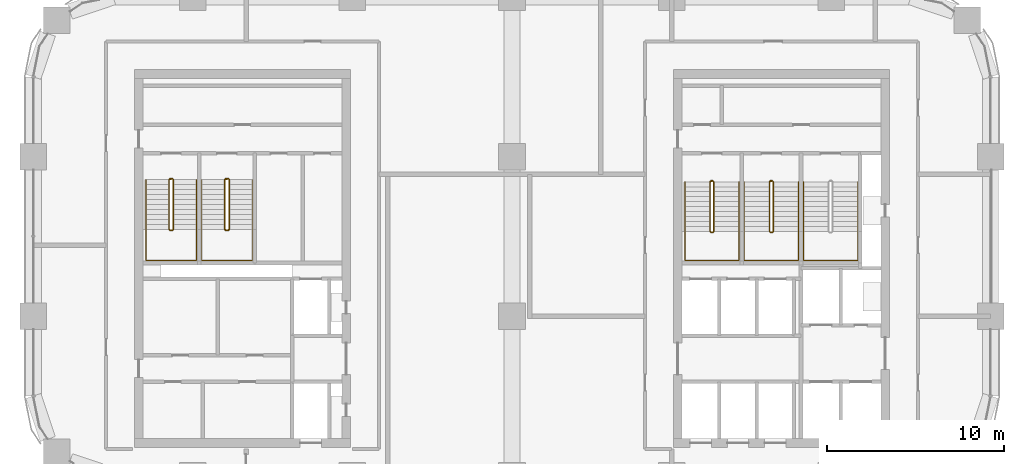
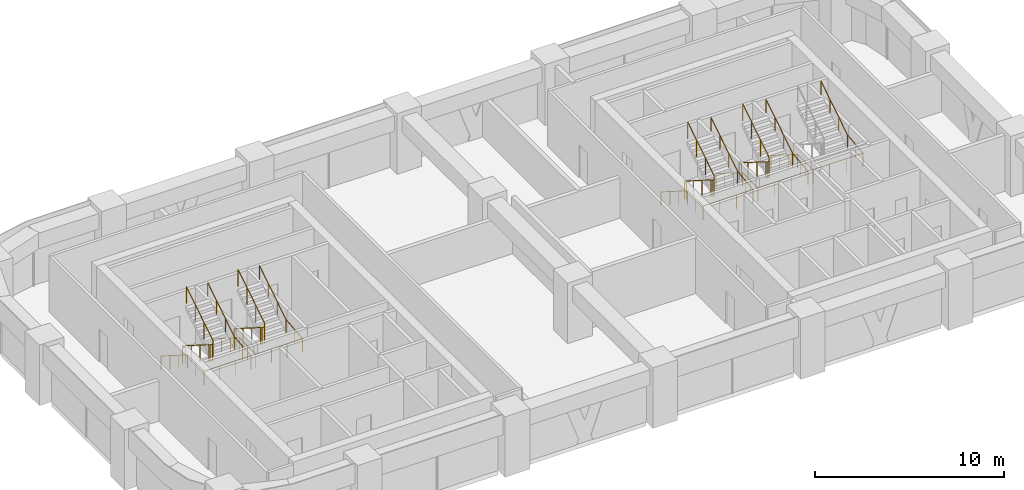
# One storey, part 13 of 14: 9 railings.
"""IFC4 building model written with IfcOpenShell, lengths in metres."""

from ifc_helpers import new_model, si_unit, direction, frame, origin, origin_2d, place, context, subcontext, project, spatial, circle, extrude, material, type_object, element, save


model = new_model("IFC4")

# Units and contexts
model_context = context("Model", 3, precision=1e-05, world=origin(), true_north=direction((0.0, 1.0)))
body_context = subcontext(model_context, "Body", "Model", "MODEL_VIEW")
ifc_project = project(units=[si_unit("LENGTHUNIT", "METRE"), si_unit("AREAUNIT", "SQUARE_METRE"), si_unit("VOLUMEUNIT", "CUBIC_METRE"), si_unit("PLANEANGLEUNIT", "RADIAN"), si_unit("MASSUNIT", "GRAM", prefix="KILO")], contexts=[model_context])

# Site, building, storey
site_placement = place(None, origin())
site = spatial("IfcSite", under=ifc_project, at=site_placement, CompositionType="ELEMENT")
building_placement = place(site_placement, origin())
building = spatial("IfcBuilding", under=site, at=building_placement, Name="Tessera Arch", CompositionType="ELEMENT")
storey_placement = place(building_placement, frame((0.0, 0.0, 138.800048828125)))
storey = spatial("IfcBuildingStorey", under=building, at=storey_placement, Name="L32", CompositionType="ELEMENT", Elevation=138.800048828125)

# Railings
ifc_material_1 = material(Name="Painted steel balustrade", Category="steel")
railing_type_1 = type_object("IfcRailingType", Name="Stair guard 1100", PredefinedType="GUARDRAIL", material=ifc_material_1)
railing_1_placement = place(storey_placement, frame((38.219970703125, 43.6298828125, 0.0)))
element("IfcRailing", 1, at=railing_1_placement, inside=storey, type_object=railing_type_1, Name="L32 S1a stair guard 1", PredefinedType="GUARDRAIL", context=body_context, shape_type="SweptSolid", body=[
    extrude(circle(Radius=0.02392578125, at=origin_2d()), frame((-0.00390625, 0.0, 1.076171875), z_axis=(1.0, 0.0, 0.0), x_axis=(0.0, 1.0, 0.0)), (0.0, 0.0, 1.0), 0.1181640625),
    extrude(circle(Radius=0.02392578125, at=origin_2d()), frame((0.11279296875, 0.000732421875, 1.0732421875), z_axis=(-0.656319048605, -0.204099216335, 0.726353093426), x_axis=(0.296948579431, -0.954893471113, 0.0)), (0.0, 0.0, 1.0), 0.251953125),
    extrude(circle(Radius=0.02392578125, at=origin_2d()), frame((-0.050048828125, -0.04638671875, 1.251220703125), z_axis=(0.0, -0.844908973607, 0.534910110503), x_axis=(1.0, 0.0, 0.0)), (0.0, 0.0, 1.0), 3.322021484375),
    extrude(circle(Radius=0.02392578125, at=origin_2d()), frame((-0.052978515625, -2.846923828125, 3.02587890625), z_axis=(0.707106781187, -0.707106781187, 0.0), x_axis=(0.707106781187, 0.707106781187, 0.0)), (0.0, 0.0, 1.0), 0.078857421875),
    extrude(circle(Radius=0.02392578125, at=origin_2d()), frame((-0.00390625, -2.89990234375, 3.02587890625), z_axis=(1.0, 0.0, 0.0), x_axis=(0.0, 1.0, 0.0)), (0.0, 0.0, 1.0), 0.1181640625),
    extrude(circle(Radius=0.02392578125, at=origin_2d()), frame((0.109130859375, -2.90087890625, 3.022216796875), z_axis=(0.261041864531, 0.262321481514, 0.929001929653), x_axis=(-0.708833529934, 0.705375805398, 0.0)), (0.0, 0.0, 1.0), 0.19873046875),
    extrude(circle(Radius=0.02392578125, at=origin_2d()), frame((0.159912109375, -2.853271484375, 3.201171875), z_axis=(0.0, 0.844908973607, 0.534910110503), x_axis=(-1.0, 0.0, 0.0)), (0.0, 0.0, 1.0), 3.322021484375),
    extrude(circle(Radius=0.02099609375, at=origin_2d()), origin(), (0.0, 0.0, 1.0), 1.06396484375),
    extrude(circle(Radius=0.02099609375, at=origin_2d()), frame((0.110107421875, 0.0, 0.0)), (0.0, 0.0, 1.0), 1.06396484375),
    extrude(circle(Radius=0.02099609375, at=origin_2d()), frame((-0.050048828125, -0.0498046875, 0.17724609375)), (0.0, 0.0, 1.0), 1.06396484375),
    extrude(circle(Radius=0.02099609375, at=origin_2d()), frame((-0.050048828125, -0.983154296875, 0.76806640625)), (0.0, 0.0, 1.0), 1.06396484375),
    extrude(circle(Radius=0.02099609375, at=origin_2d()), frame((-0.050048828125, -1.91650390625, 1.359130859375)), (0.0, 0.0, 1.0), 1.06396484375),
    extrude(circle(Radius=0.02099609375, at=origin_2d()), frame((-0.050048828125, -2.849853515625, 1.949951171875)), (0.0, 0.0, 1.0), 1.06396484375),
    extrude(circle(Radius=0.02099609375, at=origin_2d()), frame((0.0, -2.89990234375, 1.949951171875)), (0.0, 0.0, 1.0), 1.06396484375),
    extrude(circle(Radius=0.02099609375, at=origin_2d()), frame((0.110107421875, -2.89990234375, 1.949951171875)), (0.0, 0.0, 1.0), 1.06396484375),
    extrude(circle(Radius=0.02099609375, at=origin_2d()), frame((0.159912109375, -2.849853515625, 2.127197265625)), (0.0, 0.0, 1.0), 1.06396484375),
    extrude(circle(Radius=0.02099609375, at=origin_2d()), frame((0.159912109375, -1.91650390625, 2.718017578125)), (0.0, 0.0, 1.0), 1.06396484375),
    extrude(circle(Radius=0.02099609375, at=origin_2d()), frame((0.159912109375, -0.983154296875, 3.30908203125)), (0.0, 0.0, 1.0), 1.06396484375),
    extrude(circle(Radius=0.02099609375, at=origin_2d()), frame((0.159912109375, -0.0498046875, 3.89990234375)), (0.0, 0.0, 1.0), 1.06396484375),
])
railing_2_placement = place(storey_placement, frame((41.570068359375, 43.6298828125, 0.0)))
element("IfcRailing", 2, at=railing_2_placement, inside=storey, type_object=railing_type_1, Name="L32 S1b stair guard 1", PredefinedType="GUARDRAIL", context=body_context, shape_type="SweptSolid", body=[
    extrude(circle(Radius=0.02392578125, at=origin_2d()), frame((-0.00390625, 0.0, 1.076171875), z_axis=(1.0, 0.0, 0.0), x_axis=(0.0, 1.0, 0.0)), (0.0, 0.0, 1.0), 0.117919921875),
    extrude(circle(Radius=0.02392578125, at=origin_2d()), frame((0.112548828125, 0.000732421875, 1.0732421875), z_axis=(-0.65574896516, -0.204233265485, 0.726830150696), x_axis=(0.297361876254, -0.954764847777, 0.0)), (0.0, 0.0, 1.0), 0.251953125),
    extrude(circle(Radius=0.02392578125, at=origin_2d()), frame((-0.050048828125, -0.04638671875, 1.251220703125), z_axis=(0.0, -0.844908973607, 0.534910110503), x_axis=(1.0, 0.0, 0.0)), (0.0, 0.0, 1.0), 3.322021484375),
    extrude(circle(Radius=0.02392578125, at=origin_2d()), frame((-0.052978515625, -2.846923828125, 3.02587890625), z_axis=(0.707106781187, -0.707106781187, 0.0), x_axis=(0.707106781187, 0.707106781187, 0.0)), (0.0, 0.0, 1.0), 0.078857421875),
    extrude(circle(Radius=0.02392578125, at=origin_2d()), frame((-0.00390625, -2.89990234375, 3.02587890625), z_axis=(1.0, 0.0, 0.0), x_axis=(0.0, 1.0, 0.0)), (0.0, 0.0, 1.0), 0.117919921875),
    extrude(circle(Radius=0.02392578125, at=origin_2d()), frame((0.10888671875, -2.90087890625, 3.022216796875), z_axis=(0.262233686654, 0.262233686654, 0.928691007369), x_axis=(-0.707106781187, 0.707106781187, 0.0)), (0.0, 0.0, 1.0), 0.198974609375),
    extrude(circle(Radius=0.02392578125, at=origin_2d()), frame((0.159912109375, -2.853271484375, 3.201171875), z_axis=(0.0, 0.844908973607, 0.534910110503), x_axis=(-1.0, 0.0, 0.0)), (0.0, 0.0, 1.0), 3.322021484375),
    extrude(circle(Radius=0.02099609375, at=origin_2d()), origin(), (0.0, 0.0, 1.0), 1.06396484375),
    extrude(circle(Radius=0.02099609375, at=origin_2d()), frame((0.10986328125, 0.0, 0.0)), (0.0, 0.0, 1.0), 1.06396484375),
    extrude(circle(Radius=0.02099609375, at=origin_2d()), frame((-0.050048828125, -0.0498046875, 0.17724609375)), (0.0, 0.0, 1.0), 1.06396484375),
    extrude(circle(Radius=0.02099609375, at=origin_2d()), frame((-0.050048828125, -0.983154296875, 0.76806640625)), (0.0, 0.0, 1.0), 1.06396484375),
    extrude(circle(Radius=0.02099609375, at=origin_2d()), frame((-0.050048828125, -1.91650390625, 1.359130859375)), (0.0, 0.0, 1.0), 1.06396484375),
    extrude(circle(Radius=0.02099609375, at=origin_2d()), frame((-0.050048828125, -2.849853515625, 1.949951171875)), (0.0, 0.0, 1.0), 1.06396484375),
    extrude(circle(Radius=0.02099609375, at=origin_2d()), frame((0.0, -2.89990234375, 1.949951171875)), (0.0, 0.0, 1.0), 1.06396484375),
    extrude(circle(Radius=0.02099609375, at=origin_2d()), frame((0.10986328125, -2.89990234375, 1.949951171875)), (0.0, 0.0, 1.0), 1.06396484375),
    extrude(circle(Radius=0.02099609375, at=origin_2d()), frame((0.159912109375, -2.849853515625, 2.127197265625)), (0.0, 0.0, 1.0), 1.06396484375),
    extrude(circle(Radius=0.02099609375, at=origin_2d()), frame((0.159912109375, -1.91650390625, 2.718017578125)), (0.0, 0.0, 1.0), 1.06396484375),
    extrude(circle(Radius=0.02099609375, at=origin_2d()), frame((0.159912109375, -0.983154296875, 3.30908203125)), (0.0, 0.0, 1.0), 1.06396484375),
    extrude(circle(Radius=0.02099609375, at=origin_2d()), frame((0.159912109375, -0.0498046875, 3.89990234375)), (0.0, 0.0, 1.0), 1.06396484375),
])
railing_3_placement = place(storey_placement, frame((7.699951171875, 43.75, 0.0)))
element("IfcRailing", 3, at=railing_3_placement, inside=storey, type_object=railing_type_1, Name="L32 S2a stair guard 1", PredefinedType="GUARDRAIL", context=body_context, shape_type="SweptSolid", body=[
    extrude(circle(Radius=0.02392578125, at=origin_2d()), frame((-0.00390625, 0.0, 1.076171875), z_axis=(1.0, 0.0, 0.0), x_axis=(0.0, 1.0, 0.0)), (0.0, 0.0, 1.0), 0.158203125),
    extrude(circle(Radius=0.02392578125, at=origin_2d()), frame((0.153076171875, 0.000732421875, 1.073486328125), z_axis=(-0.735936453418, -0.183984113355, 0.651573006319), x_axis=(0.242535625036, -0.970142500145, 0.0)), (0.0, 0.0, 1.0), 0.280029296875),
    extrude(circle(Radius=0.02392578125, at=origin_2d()), frame((-0.050048828125, -0.046630859375, 1.251220703125), z_axis=(0.0, -0.844908973607, 0.534910110503), x_axis=(1.0, 0.0, 0.0)), (0.0, 0.0, 1.0), 3.322021484375),
    extrude(circle(Radius=0.02392578125, at=origin_2d()), frame((-0.052978515625, -2.84716796875, 3.02587890625), z_axis=(0.708833529934, -0.705375805398, 0.0), x_axis=(0.705375805398, 0.708833529934, 0.0)), (0.0, 0.0, 1.0), 0.07861328125),
    extrude(circle(Radius=0.02392578125, at=origin_2d()), frame((-0.00390625, -2.89990234375, 3.02587890625), z_axis=(1.0, 0.0, 0.0), x_axis=(0.0, 1.0, 0.0)), (0.0, 0.0, 1.0), 0.158203125),
    extrude(circle(Radius=0.02392578125, at=origin_2d()), frame((0.149169921875, -2.90087890625, 3.022216796875), z_axis=(0.261129318932, 0.261129318932, 0.929313164433), x_axis=(-0.707106781187, 0.707106781187, 0.0)), (0.0, 0.0, 1.0), 0.19873046875),
    extrude(circle(Radius=0.02392578125, at=origin_2d()), frame((0.199951171875, -2.853515625, 3.201171875), z_axis=(0.0, 0.844908973607, 0.534910110503), x_axis=(-1.0, 0.0, 0.0)), (0.0, 0.0, 1.0), 3.322021484375),
    extrude(circle(Radius=0.02099609375, at=origin_2d()), origin(), (0.0, 0.0, 1.0), 1.06396484375),
    extrude(circle(Radius=0.02099609375, at=origin_2d()), frame((0.150146484375, 0.0, 0.0)), (0.0, 0.0, 1.0), 1.06396484375),
    extrude(circle(Radius=0.02099609375, at=origin_2d()), frame((-0.050048828125, -0.050048828125, 0.17724609375)), (0.0, 0.0, 1.0), 1.06396484375),
    extrude(circle(Radius=0.02099609375, at=origin_2d()), frame((-0.050048828125, -0.9833984375, 0.76806640625)), (0.0, 0.0, 1.0), 1.06396484375),
    extrude(circle(Radius=0.02099609375, at=origin_2d()), frame((-0.050048828125, -1.916748046875, 1.359130859375)), (0.0, 0.0, 1.0), 1.06396484375),
    extrude(circle(Radius=0.02099609375, at=origin_2d()), frame((-0.050048828125, -2.85009765625, 1.949951171875)), (0.0, 0.0, 1.0), 1.06396484375),
    extrude(circle(Radius=0.02099609375, at=origin_2d()), frame((0.0, -2.89990234375, 1.949951171875)), (0.0, 0.0, 1.0), 1.06396484375),
    extrude(circle(Radius=0.02099609375, at=origin_2d()), frame((0.150146484375, -2.89990234375, 1.949951171875)), (0.0, 0.0, 1.0), 1.06396484375),
    extrude(circle(Radius=0.02099609375, at=origin_2d()), frame((0.199951171875, -2.85009765625, 2.127197265625)), (0.0, 0.0, 1.0), 1.06396484375),
    extrude(circle(Radius=0.02099609375, at=origin_2d()), frame((0.199951171875, -1.916748046875, 2.718017578125)), (0.0, 0.0, 1.0), 1.06396484375),
    extrude(circle(Radius=0.02099609375, at=origin_2d()), frame((0.199951171875, -0.9833984375, 3.30908203125)), (0.0, 0.0, 1.0), 1.06396484375),
    extrude(circle(Radius=0.02099609375, at=origin_2d()), frame((0.199951171875, -0.050048828125, 3.89990234375)), (0.0, 0.0, 1.0), 1.06396484375),
])
railing_4_placement = place(storey_placement, frame((10.85009765625, 43.75, 0.0)))
element("IfcRailing", 4, at=railing_4_placement, inside=storey, type_object=railing_type_1, Name="L32 S2b stair guard 1", PredefinedType="GUARDRAIL", context=body_context, shape_type="SweptSolid", body=[
    extrude(circle(Radius=0.02392578125, at=origin_2d()), frame((-0.00390625, 0.0, 1.076171875), z_axis=(1.0, 0.0, 0.0), x_axis=(0.0, 1.0, 0.0)), (0.0, 0.0, 1.0), 0.157958984375),
    extrude(circle(Radius=0.02392578125, at=origin_2d()), frame((0.15283203125, 0.000732421875, 1.073486328125), z_axis=(-0.735524641326, -0.184105679453, 0.652003528208), x_axis=(0.242814311512, -0.970072785993, 0.0)), (0.0, 0.0, 1.0), 0.27978515625),
    extrude(circle(Radius=0.02392578125, at=origin_2d()), frame((-0.050048828125, -0.046630859375, 1.251220703125), z_axis=(0.0, -0.844908973607, 0.534910110503), x_axis=(1.0, 0.0, 0.0)), (0.0, 0.0, 1.0), 3.322021484375),
    extrude(circle(Radius=0.02392578125, at=origin_2d()), frame((-0.052978515625, -2.84716796875, 3.02587890625), z_axis=(0.708833529934, -0.705375805398, 0.0), x_axis=(0.705375805398, 0.708833529934, 0.0)), (0.0, 0.0, 1.0), 0.07861328125),
    extrude(circle(Radius=0.02392578125, at=origin_2d()), frame((-0.00390625, -2.89990234375, 3.02587890625), z_axis=(1.0, 0.0, 0.0), x_axis=(0.0, 1.0, 0.0)), (0.0, 0.0, 1.0), 0.157958984375),
    extrude(circle(Radius=0.02392578125, at=origin_2d()), frame((0.14892578125, -2.90087890625, 3.022216796875), z_axis=(0.262321481514, 0.261041864531, 0.929001929653), x_axis=(-0.705375805398, 0.708833529934, 0.0)), (0.0, 0.0, 1.0), 0.19873046875),
    extrude(circle(Radius=0.02392578125, at=origin_2d()), frame((0.199951171875, -2.853515625, 3.201171875), z_axis=(0.0, 0.844908973607, 0.534910110503), x_axis=(-1.0, 0.0, 0.0)), (0.0, 0.0, 1.0), 3.322021484375),
    extrude(circle(Radius=0.02099609375, at=origin_2d()), origin(), (0.0, 0.0, 1.0), 1.06396484375),
    extrude(circle(Radius=0.02099609375, at=origin_2d()), frame((0.14990234375, 0.0, 0.0)), (0.0, 0.0, 1.0), 1.06396484375),
    extrude(circle(Radius=0.02099609375, at=origin_2d()), frame((-0.050048828125, -0.050048828125, 0.17724609375)), (0.0, 0.0, 1.0), 1.06396484375),
    extrude(circle(Radius=0.02099609375, at=origin_2d()), frame((-0.050048828125, -0.9833984375, 0.76806640625)), (0.0, 0.0, 1.0), 1.06396484375),
    extrude(circle(Radius=0.02099609375, at=origin_2d()), frame((-0.050048828125, -1.916748046875, 1.359130859375)), (0.0, 0.0, 1.0), 1.06396484375),
    extrude(circle(Radius=0.02099609375, at=origin_2d()), frame((-0.050048828125, -2.85009765625, 1.949951171875)), (0.0, 0.0, 1.0), 1.06396484375),
    extrude(circle(Radius=0.02099609375, at=origin_2d()), frame((0.0, -2.89990234375, 1.949951171875)), (0.0, 0.0, 1.0), 1.06396484375),
    extrude(circle(Radius=0.02099609375, at=origin_2d()), frame((0.14990234375, -2.89990234375, 1.949951171875)), (0.0, 0.0, 1.0), 1.06396484375),
    extrude(circle(Radius=0.02099609375, at=origin_2d()), frame((0.199951171875, -2.85009765625, 2.127197265625)), (0.0, 0.0, 1.0), 1.06396484375),
    extrude(circle(Radius=0.02099609375, at=origin_2d()), frame((0.199951171875, -1.916748046875, 2.718017578125)), (0.0, 0.0, 1.0), 1.06396484375),
    extrude(circle(Radius=0.02099609375, at=origin_2d()), frame((0.199951171875, -0.9833984375, 3.30908203125)), (0.0, 0.0, 1.0), 1.06396484375),
    extrude(circle(Radius=0.02099609375, at=origin_2d()), frame((0.199951171875, -0.050048828125, 3.89990234375)), (0.0, 0.0, 1.0), 1.06396484375),
])
ifc_material_2 = material(Name="Painted steel handrail", Category="steel")
railing_type_2 = type_object("IfcRailingType", Name="Stair handrail 900", PredefinedType="HANDRAIL", material=ifc_material_2)
railing_5_placement = place(storey_placement, frame((36.75, 43.580078125, 0.17724609375)))
element("IfcRailing", 5, at=railing_5_placement, inside=storey, type_object=railing_type_2, Name="L32 S1a stair handrail", PredefinedType="HANDRAIL", context=body_context, shape_type="SweptSolid", body=[
    extrude(circle(Radius=0.02392578125, at=origin_2d()), frame((0.0, 0.00341796875, 0.873779296875), z_axis=(0.0, -0.844908973607, 0.534910110503), x_axis=(1.0, 0.0, 0.0)), (0.0, 0.0, 1.0), 3.322021484375),
    extrude(circle(Radius=0.02392578125, at=origin_2d()), frame((0.0, -2.796142578125, 2.6484375), z_axis=(0.0, -1.0, 0.0), x_axis=(1.0, 0.0, 0.0)), (0.0, 0.0, 1.0), 1.63818359375),
    extrude(circle(Radius=0.02392578125, at=origin_2d()), frame((-0.00390625, -4.43017578125, 2.6484375), z_axis=(1.0, 0.0, 0.0), x_axis=(0.0, 1.0, 0.0)), (0.0, 0.0, 1.0), 3.05810546875),
    extrude(circle(Radius=0.02392578125, at=origin_2d()), frame((3.050048828125, -4.43408203125, 2.648193359375), z_axis=(0.0, 0.994140637614, 0.108094369164), x_axis=(-1.0, 0.0, 0.0)), (0.0, 0.0, 1.0), 1.647705078125),
    extrude(circle(Radius=0.02392578125, at=origin_2d()), frame((3.050048828125, -2.803466796875, 2.82373046875), z_axis=(0.0, 0.844908973607, 0.534910110503), x_axis=(-1.0, 0.0, 0.0)), (0.0, 0.0, 1.0), 3.322021484375),
    extrude(circle(Radius=0.02099609375, at=origin_2d()), origin(), (0.0, 0.0, 1.0), 0.86376953125),
    extrude(circle(Radius=0.02099609375, at=origin_2d()), frame((0.0, -0.933349609375, 0.5908203125)), (0.0, 0.0, 1.0), 0.86376953125),
    extrude(circle(Radius=0.02099609375, at=origin_2d()), frame((0.0, -1.86669921875, 1.181884765625)), (0.0, 0.0, 1.0), 0.86376953125),
    extrude(circle(Radius=0.02099609375, at=origin_2d()), frame((0.0, -2.800048828125, 1.772705078125)), (0.0, 0.0, 1.0), 0.86376953125),
    extrude(circle(Radius=0.02099609375, at=origin_2d()), frame((0.0, -3.615234375, 1.772705078125)), (0.0, 0.0, 1.0), 0.86376953125),
    extrude(circle(Radius=0.02099609375, at=origin_2d()), frame((0.0, -4.43017578125, 1.772705078125)), (0.0, 0.0, 1.0), 0.86376953125),
    extrude(circle(Radius=0.02099609375, at=origin_2d()), frame((1.0166015625, -4.43017578125, 1.772705078125)), (0.0, 0.0, 1.0), 0.86376953125),
    extrude(circle(Radius=0.02099609375, at=origin_2d()), frame((2.033447265625, -4.43017578125, 1.772705078125)), (0.0, 0.0, 1.0), 0.86376953125),
    extrude(circle(Radius=0.02099609375, at=origin_2d()), frame((3.050048828125, -4.43017578125, 1.772705078125)), (0.0, 0.0, 1.0), 0.86376953125),
    extrude(circle(Radius=0.02099609375, at=origin_2d()), frame((3.050048828125, -3.615234375, 1.861328125)), (0.0, 0.0, 1.0), 0.86376953125),
    extrude(circle(Radius=0.02099609375, at=origin_2d()), frame((3.050048828125, -2.800048828125, 1.949951171875)), (0.0, 0.0, 1.0), 0.86376953125),
    extrude(circle(Radius=0.02099609375, at=origin_2d()), frame((3.050048828125, -1.86669921875, 2.540771484375)), (0.0, 0.0, 1.0), 0.86376953125),
    extrude(circle(Radius=0.02099609375, at=origin_2d()), frame((3.050048828125, -0.933349609375, 3.1318359375)), (0.0, 0.0, 1.0), 0.86376953125),
    extrude(circle(Radius=0.02099609375, at=origin_2d()), frame((3.050048828125, 0.0, 3.72265625)), (0.0, 0.0, 1.0), 0.86376953125),
])
railing_6_placement = place(storey_placement, frame((40.10009765625, 43.580078125, 0.17724609375)))
element("IfcRailing", 6, at=railing_6_placement, inside=storey, type_object=railing_type_2, Name="L32 S1b stair handrail", PredefinedType="HANDRAIL", context=body_context, shape_type="SweptSolid", body=[
    extrude(circle(Radius=0.02392578125, at=origin_2d()), frame((0.0, 0.00341796875, 0.873779296875), z_axis=(0.0, -0.844908973607, 0.534910110503), x_axis=(1.0, 0.0, 0.0)), (0.0, 0.0, 1.0), 3.322021484375),
    extrude(circle(Radius=0.02392578125, at=origin_2d()), frame((0.0, -2.796142578125, 2.6484375), z_axis=(0.0, -1.0, 0.0), x_axis=(1.0, 0.0, 0.0)), (0.0, 0.0, 1.0), 1.63818359375),
    extrude(circle(Radius=0.02392578125, at=origin_2d()), frame((-0.00390625, -4.43017578125, 2.6484375), z_axis=(1.0, 0.0, 0.0), x_axis=(0.0, 1.0, 0.0)), (0.0, 0.0, 1.0), 3.057861328125),
    extrude(circle(Radius=0.02392578125, at=origin_2d()), frame((3.0498046875, -4.43408203125, 2.648193359375), z_axis=(0.0, 0.994140637614, 0.108094369164), x_axis=(-1.0, 0.0, 0.0)), (0.0, 0.0, 1.0), 1.647705078125),
    extrude(circle(Radius=0.02392578125, at=origin_2d()), frame((3.0498046875, -2.803466796875, 2.82373046875), z_axis=(0.0, 0.844908973607, 0.534910110503), x_axis=(-1.0, 0.0, 0.0)), (0.0, 0.0, 1.0), 3.322021484375),
    extrude(circle(Radius=0.02099609375, at=origin_2d()), origin(), (0.0, 0.0, 1.0), 0.86376953125),
    extrude(circle(Radius=0.02099609375, at=origin_2d()), frame((0.0, -0.933349609375, 0.5908203125)), (0.0, 0.0, 1.0), 0.86376953125),
    extrude(circle(Radius=0.02099609375, at=origin_2d()), frame((0.0, -1.86669921875, 1.181884765625)), (0.0, 0.0, 1.0), 0.86376953125),
    extrude(circle(Radius=0.02099609375, at=origin_2d()), frame((0.0, -2.800048828125, 1.772705078125)), (0.0, 0.0, 1.0), 0.86376953125),
    extrude(circle(Radius=0.02099609375, at=origin_2d()), frame((0.0, -3.615234375, 1.772705078125)), (0.0, 0.0, 1.0), 0.86376953125),
    extrude(circle(Radius=0.02099609375, at=origin_2d()), frame((0.0, -4.43017578125, 1.772705078125)), (0.0, 0.0, 1.0), 0.86376953125),
    extrude(circle(Radius=0.02099609375, at=origin_2d()), frame((1.0166015625, -4.43017578125, 1.772705078125)), (0.0, 0.0, 1.0), 0.86376953125),
    extrude(circle(Radius=0.02099609375, at=origin_2d()), frame((2.033203125, -4.43017578125, 1.772705078125)), (0.0, 0.0, 1.0), 0.86376953125),
    extrude(circle(Radius=0.02099609375, at=origin_2d()), frame((3.0498046875, -4.43017578125, 1.772705078125)), (0.0, 0.0, 1.0), 0.86376953125),
    extrude(circle(Radius=0.02099609375, at=origin_2d()), frame((3.0498046875, -3.615234375, 1.861328125)), (0.0, 0.0, 1.0), 0.86376953125),
    extrude(circle(Radius=0.02099609375, at=origin_2d()), frame((3.0498046875, -2.800048828125, 1.949951171875)), (0.0, 0.0, 1.0), 0.86376953125),
    extrude(circle(Radius=0.02099609375, at=origin_2d()), frame((3.0498046875, -1.86669921875, 2.540771484375)), (0.0, 0.0, 1.0), 0.86376953125),
    extrude(circle(Radius=0.02099609375, at=origin_2d()), frame((3.0498046875, -0.933349609375, 3.1318359375)), (0.0, 0.0, 1.0), 0.86376953125),
    extrude(circle(Radius=0.02099609375, at=origin_2d()), frame((3.0498046875, 0.0, 3.72265625)), (0.0, 0.0, 1.0), 0.86376953125),
])
railing_7_placement = place(storey_placement, frame((43.449951171875, 43.580078125, 0.17724609375)))
element("IfcRailing", 7, at=railing_7_placement, inside=storey, type_object=railing_type_2, Name="L32 S1c stair handrail", PredefinedType="HANDRAIL", context=body_context, shape_type="SweptSolid", body=[
    extrude(circle(Radius=0.02392578125, at=origin_2d()), frame((0.0, 0.00341796875, 0.873779296875), z_axis=(0.0, -0.844908973607, 0.534910110503), x_axis=(1.0, 0.0, 0.0)), (0.0, 0.0, 1.0), 3.322021484375),
    extrude(circle(Radius=0.02392578125, at=origin_2d()), frame((0.0, -2.796142578125, 2.6484375), z_axis=(0.0, -1.0, 0.0), x_axis=(1.0, 0.0, 0.0)), (0.0, 0.0, 1.0), 1.63818359375),
    extrude(circle(Radius=0.02392578125, at=origin_2d()), frame((-0.00390625, -4.43017578125, 2.6484375), z_axis=(1.0, 0.0, 0.0), x_axis=(0.0, 1.0, 0.0)), (0.0, 0.0, 1.0), 3.05810546875),
    extrude(circle(Radius=0.02392578125, at=origin_2d()), frame((3.050048828125, -4.43408203125, 2.648193359375), z_axis=(0.0, 0.994140637614, 0.108094369164), x_axis=(-1.0, 0.0, 0.0)), (0.0, 0.0, 1.0), 1.647705078125),
    extrude(circle(Radius=0.02392578125, at=origin_2d()), frame((3.050048828125, -2.803466796875, 2.82373046875), z_axis=(0.0, 0.844908973607, 0.534910110503), x_axis=(-1.0, 0.0, 0.0)), (0.0, 0.0, 1.0), 3.322021484375),
    extrude(circle(Radius=0.02099609375, at=origin_2d()), origin(), (0.0, 0.0, 1.0), 0.86376953125),
    extrude(circle(Radius=0.02099609375, at=origin_2d()), frame((0.0, -0.933349609375, 0.5908203125)), (0.0, 0.0, 1.0), 0.86376953125),
    extrude(circle(Radius=0.02099609375, at=origin_2d()), frame((0.0, -1.86669921875, 1.181884765625)), (0.0, 0.0, 1.0), 0.86376953125),
    extrude(circle(Radius=0.02099609375, at=origin_2d()), frame((0.0, -2.800048828125, 1.772705078125)), (0.0, 0.0, 1.0), 0.86376953125),
    extrude(circle(Radius=0.02099609375, at=origin_2d()), frame((0.0, -3.615234375, 1.772705078125)), (0.0, 0.0, 1.0), 0.86376953125),
    extrude(circle(Radius=0.02099609375, at=origin_2d()), frame((0.0, -4.43017578125, 1.772705078125)), (0.0, 0.0, 1.0), 0.86376953125),
    extrude(circle(Radius=0.02099609375, at=origin_2d()), frame((1.0166015625, -4.43017578125, 1.772705078125)), (0.0, 0.0, 1.0), 0.86376953125),
    extrude(circle(Radius=0.02099609375, at=origin_2d()), frame((2.033447265625, -4.43017578125, 1.772705078125)), (0.0, 0.0, 1.0), 0.86376953125),
    extrude(circle(Radius=0.02099609375, at=origin_2d()), frame((3.050048828125, -4.43017578125, 1.772705078125)), (0.0, 0.0, 1.0), 0.86376953125),
    extrude(circle(Radius=0.02099609375, at=origin_2d()), frame((3.050048828125, -3.615234375, 1.861328125)), (0.0, 0.0, 1.0), 0.86376953125),
    extrude(circle(Radius=0.02099609375, at=origin_2d()), frame((3.050048828125, -2.800048828125, 1.949951171875)), (0.0, 0.0, 1.0), 0.86376953125),
    extrude(circle(Radius=0.02099609375, at=origin_2d()), frame((3.050048828125, -1.86669921875, 2.540771484375)), (0.0, 0.0, 1.0), 0.86376953125),
    extrude(circle(Radius=0.02099609375, at=origin_2d()), frame((3.050048828125, -0.933349609375, 3.1318359375)), (0.0, 0.0, 1.0), 0.86376953125),
    extrude(circle(Radius=0.02099609375, at=origin_2d()), frame((3.050048828125, 0.0, 3.72265625)), (0.0, 0.0, 1.0), 0.86376953125),
])
railing_8_placement = place(storey_placement, frame((6.35009765625, 43.699951171875, 0.17724609375)))
element("IfcRailing", 8, at=railing_8_placement, inside=storey, type_object=railing_type_2, Name="L32 S2a stair handrail", PredefinedType="HANDRAIL", context=body_context, shape_type="SweptSolid", body=[
    extrude(circle(Radius=0.02392578125, at=origin_2d()), frame((0.0, 0.00341796875, 0.873779296875), z_axis=(0.0, -0.844908973607, 0.534910110503), x_axis=(1.0, 0.0, 0.0)), (0.0, 0.0, 1.0), 3.322021484375),
    extrude(circle(Radius=0.02392578125, at=origin_2d()), frame((0.0, -2.796142578125, 2.6484375), z_axis=(0.0, -1.0, 0.0), x_axis=(1.0, 0.0, 0.0)), (0.0, 0.0, 1.0), 1.758056640625),
    extrude(circle(Radius=0.02392578125, at=origin_2d()), frame((-0.00390625, -4.550048828125, 2.6484375), z_axis=(1.0, 0.0, 0.0), x_axis=(0.0, 1.0, 0.0)), (0.0, 0.0, 1.0), 2.85791015625),
    extrude(circle(Radius=0.02392578125, at=origin_2d()), frame((2.849853515625, -4.553955078125, 2.648193359375), z_axis=(0.0, 0.994909956378, 0.100767944801), x_axis=(-1.0, 0.0, 0.0)), (0.0, 0.0, 1.0), 1.766845703125),
    extrude(circle(Radius=0.02392578125, at=origin_2d()), frame((2.849853515625, -2.803466796875, 2.82373046875), z_axis=(0.0, 0.844908973607, 0.534910110503), x_axis=(-1.0, 0.0, 0.0)), (0.0, 0.0, 1.0), 3.322021484375),
    extrude(circle(Radius=0.02099609375, at=origin_2d()), origin(), (0.0, 0.0, 1.0), 0.86376953125),
    extrude(circle(Radius=0.02099609375, at=origin_2d()), frame((0.0, -0.933349609375, 0.5908203125)), (0.0, 0.0, 1.0), 0.86376953125),
    extrude(circle(Radius=0.02099609375, at=origin_2d()), frame((0.0, -1.86669921875, 1.181884765625)), (0.0, 0.0, 1.0), 0.86376953125),
    extrude(circle(Radius=0.02099609375, at=origin_2d()), frame((0.0, -2.800048828125, 1.772705078125)), (0.0, 0.0, 1.0), 0.86376953125),
    extrude(circle(Radius=0.02099609375, at=origin_2d()), frame((0.0, -3.675048828125, 1.772705078125)), (0.0, 0.0, 1.0), 0.86376953125),
    extrude(circle(Radius=0.02099609375, at=origin_2d()), frame((0.0, -4.550048828125, 1.772705078125)), (0.0, 0.0, 1.0), 0.86376953125),
    extrude(circle(Radius=0.02099609375, at=origin_2d()), frame((0.949951171875, -4.550048828125, 1.772705078125)), (0.0, 0.0, 1.0), 0.86376953125),
    extrude(circle(Radius=0.02099609375, at=origin_2d()), frame((1.89990234375, -4.550048828125, 1.772705078125)), (0.0, 0.0, 1.0), 0.86376953125),
    extrude(circle(Radius=0.02099609375, at=origin_2d()), frame((2.849853515625, -4.550048828125, 1.772705078125)), (0.0, 0.0, 1.0), 0.86376953125),
    extrude(circle(Radius=0.02099609375, at=origin_2d()), frame((2.849853515625, -3.675048828125, 1.861328125)), (0.0, 0.0, 1.0), 0.86376953125),
    extrude(circle(Radius=0.02099609375, at=origin_2d()), frame((2.849853515625, -2.800048828125, 1.949951171875)), (0.0, 0.0, 1.0), 0.86376953125),
    extrude(circle(Radius=0.02099609375, at=origin_2d()), frame((2.849853515625, -1.86669921875, 2.540771484375)), (0.0, 0.0, 1.0), 0.86376953125),
    extrude(circle(Radius=0.02099609375, at=origin_2d()), frame((2.849853515625, -0.933349609375, 3.1318359375)), (0.0, 0.0, 1.0), 0.86376953125),
    extrude(circle(Radius=0.02099609375, at=origin_2d()), frame((2.849853515625, 0.0, 3.72265625)), (0.0, 0.0, 1.0), 0.86376953125),
])
railing_9_placement = place(storey_placement, frame((9.5, 43.699951171875, 0.17724609375)))
element("IfcRailing", 9, at=railing_9_placement, inside=storey, type_object=railing_type_2, Name="L32 S2b stair handrail", PredefinedType="HANDRAIL", context=body_context, shape_type="SweptSolid", body=[
    extrude(circle(Radius=0.02392578125, at=origin_2d()), frame((0.0, 0.00341796875, 0.873779296875), z_axis=(0.0, -0.844908973607, 0.534910110503), x_axis=(1.0, 0.0, 0.0)), (0.0, 0.0, 1.0), 3.322021484375),
    extrude(circle(Radius=0.02392578125, at=origin_2d()), frame((0.0, -2.796142578125, 2.6484375), z_axis=(0.0, -1.0, 0.0), x_axis=(1.0, 0.0, 0.0)), (0.0, 0.0, 1.0), 1.758056640625),
    extrude(circle(Radius=0.02392578125, at=origin_2d()), frame((-0.00390625, -4.550048828125, 2.6484375), z_axis=(1.0, 0.0, 0.0), x_axis=(0.0, 1.0, 0.0)), (0.0, 0.0, 1.0), 2.858154296875),
    extrude(circle(Radius=0.02392578125, at=origin_2d()), frame((2.85009765625, -4.553955078125, 2.648193359375), z_axis=(0.0, 0.994909956378, 0.100767944801), x_axis=(-1.0, 0.0, 0.0)), (0.0, 0.0, 1.0), 1.766845703125),
    extrude(circle(Radius=0.02392578125, at=origin_2d()), frame((2.85009765625, -2.803466796875, 2.82373046875), z_axis=(0.0, 0.844908973607, 0.534910110503), x_axis=(-1.0, 0.0, 0.0)), (0.0, 0.0, 1.0), 3.322021484375),
    extrude(circle(Radius=0.02099609375, at=origin_2d()), origin(), (0.0, 0.0, 1.0), 0.86376953125),
    extrude(circle(Radius=0.02099609375, at=origin_2d()), frame((0.0, -0.933349609375, 0.5908203125)), (0.0, 0.0, 1.0), 0.86376953125),
    extrude(circle(Radius=0.02099609375, at=origin_2d()), frame((0.0, -1.86669921875, 1.181884765625)), (0.0, 0.0, 1.0), 0.86376953125),
    extrude(circle(Radius=0.02099609375, at=origin_2d()), frame((0.0, -2.800048828125, 1.772705078125)), (0.0, 0.0, 1.0), 0.86376953125),
    extrude(circle(Radius=0.02099609375, at=origin_2d()), frame((0.0, -3.675048828125, 1.772705078125)), (0.0, 0.0, 1.0), 0.86376953125),
    extrude(circle(Radius=0.02099609375, at=origin_2d()), frame((0.0, -4.550048828125, 1.772705078125)), (0.0, 0.0, 1.0), 0.86376953125),
    extrude(circle(Radius=0.02099609375, at=origin_2d()), frame((0.949951171875, -4.550048828125, 1.772705078125)), (0.0, 0.0, 1.0), 0.86376953125),
    extrude(circle(Radius=0.02099609375, at=origin_2d()), frame((1.900146484375, -4.550048828125, 1.772705078125)), (0.0, 0.0, 1.0), 0.86376953125),
    extrude(circle(Radius=0.02099609375, at=origin_2d()), frame((2.85009765625, -4.550048828125, 1.772705078125)), (0.0, 0.0, 1.0), 0.86376953125),
    extrude(circle(Radius=0.02099609375, at=origin_2d()), frame((2.85009765625, -3.675048828125, 1.861328125)), (0.0, 0.0, 1.0), 0.86376953125),
    extrude(circle(Radius=0.02099609375, at=origin_2d()), frame((2.85009765625, -2.800048828125, 1.949951171875)), (0.0, 0.0, 1.0), 0.86376953125),
    extrude(circle(Radius=0.02099609375, at=origin_2d()), frame((2.85009765625, -1.86669921875, 2.540771484375)), (0.0, 0.0, 1.0), 0.86376953125),
    extrude(circle(Radius=0.02099609375, at=origin_2d()), frame((2.85009765625, -0.933349609375, 3.1318359375)), (0.0, 0.0, 1.0), 0.86376953125),
    extrude(circle(Radius=0.02099609375, at=origin_2d()), frame((2.85009765625, 0.0, 3.72265625)), (0.0, 0.0, 1.0), 0.86376953125),
])

save(model, "model.ifc")
